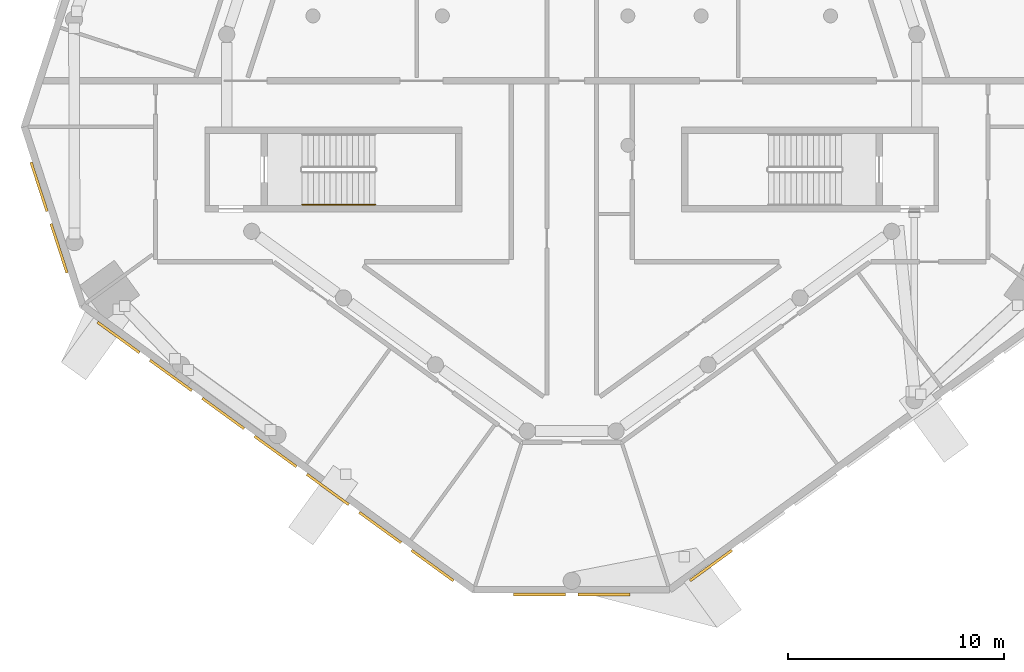
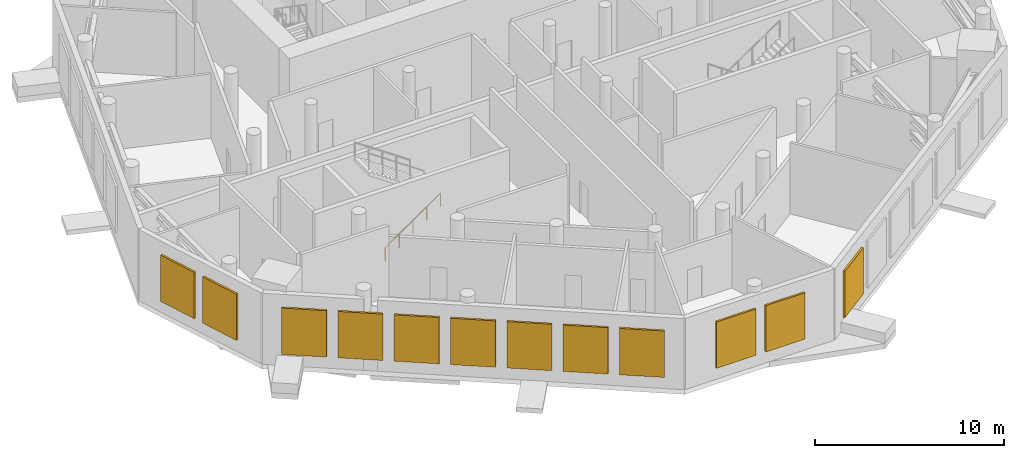
# One storey, part 11 of 15: 12 shading devices, 1 railing.
"""IFC4 building model written with IfcOpenShell, lengths in metres."""

from ifc_helpers import new_model, si_unit, direction, frame, origin, origin_2d, place, context, subcontext, project, spatial, rectangle, circle, extrude, material, type_object, element, save


model = new_model("IFC4")

# Units and contexts
model_context = context("Model", 3, precision=1e-05, world=origin(), true_north=direction((0.0, 1.0)))
body_context = subcontext(model_context, "Body", "Model", "MODEL_VIEW")
ifc_project = project(units=[si_unit("LENGTHUNIT", "METRE"), si_unit("AREAUNIT", "SQUARE_METRE"), si_unit("VOLUMEUNIT", "CUBIC_METRE"), si_unit("PLANEANGLEUNIT", "RADIAN"), si_unit("MASSUNIT", "GRAM", prefix="KILO")], contexts=[model_context])

# Site, building, storey
site_placement = place(None, origin())
site = spatial("IfcSite", under=ifc_project, at=site_placement, CompositionType="ELEMENT")
building_placement = place(site_placement, origin())
building = spatial("IfcBuilding", under=site, at=building_placement, Name="White Candle Pilgrim Tower", CompositionType="ELEMENT")
storey_placement = place(building_placement, frame((0.0, 0.0, 137.60009765625)))
storey = spatial("IfcBuildingStorey", under=building, at=storey_placement, Name="L31", CompositionType="ELEMENT", Elevation=137.60009765625)

# Shading devices
ifc_material_1 = material(Name="Aluminium", Category="aluminium")
shading_device_type = type_object("IfcShadingDeviceType", Name="Plant louvre LV1 2400x3000 aluminium framed", PredefinedType="USERDEFINED", material=ifc_material_1)
for number, where, z_axis, x_axis, name in (
    (1, (45.298095703125, 59.072265625, 0.7998046875), (0.0, 0.0, 1.0), (0.309016955118, -0.95105652905, 0.0), "Plant louvre L31 W chamfer 1"),
    (2, (46.22509765625, 56.21923828125, 0.7998046875), (0.0, 0.0, 1.0), (0.309016955118, -0.95105652905, 0.0), "Plant louvre L31 W chamfer 2"),
    (3, (48.9794921875, 52.091796875, 0.7998046875), (0.0, 0.0, 1.0), (0.809017003362, -0.587785239923, 0.0), "Plant louvre L31 SW 1"),
    (4, (51.406494140625, 50.32861328125, 0.7998046875), (0.0, 0.0, 1.0), (0.809017003362, -0.587785239923, 0.0), "Plant louvre L31 SW 2"),
    (5, (53.833740234375, 48.565185546875, 0.7998046875), (0.0, 0.0, 1.0), (0.809017003362, -0.587785239923, 0.0), "Plant louvre L31 SW 3"),
    (6, (56.2607421875, 46.8017578125, 0.7998046875), (0.0, 0.0, 1.0), (0.809017003362, -0.587785239923, 0.0), "Plant louvre L31 SW 4"),
    (7, (58.687744140625, 45.038330078125, 0.7998046875), (0.0, 0.0, 1.0), (0.809017003362, -0.587785239923, 0.0), "Plant louvre L31 SW 5"),
    (8, (61.11474609375, 43.275146484375, 0.7998046875), (0.0, 0.0, 1.0), (0.809017003362, -0.587785239923, 0.0), "Plant louvre L31 SW 6"),
    (9, (63.541748046875, 41.51171875, 0.7998046875), (0.0, 0.0, 1.0), (0.809017003362, -0.587785239923, 0.0), "Plant louvre L31 SW 7"),
    (10, (68.5, 40.16748046875, 0.7998046875), (0.0, 0.0, 1.0), (1.0, 0.0, 0.0), "Plant louvre L31 S chamfer 1"),
    (11, (71.5, 40.16748046875, 0.7998046875), (0.0, 0.0, 1.0), (1.0, 0.0, 0.0), "Plant louvre L31 S chamfer 2"),
    (12, (76.458251953125, 41.51171875, 0.7998046875), (0.0, 0.0, 1.0), (0.809017003362, 0.587785239923, 0.0), "Plant louvre L31 SE 1"),
):
    element("IfcShadingDevice", number, at=place(storey_placement, frame(where, z_axis=z_axis, x_axis=x_axis)), inside=storey, type_object=shading_device_type, Name=name, ObjectType="LOUVRE", PredefinedType="USERDEFINED", context=body_context, shape_type="SweptSolid", body=[
        extrude(rectangle(XDim=2.39990234375, YDim=0.1201171875, at=origin_2d()), origin(), (0.0, 0.0, 1.0), 3.0),
    ])

# Railing
ifc_material_2 = material(Name="Stainless steel", Category="steel")
railing_type = type_object("IfcRailingType", Name="Stair handrail stainless steel", PredefinedType="HANDRAIL", material=ifc_material_2)
railing_placement = place(storey_placement, frame((57.5, 58.25, 0.178466796875)))
element("IfcRailing", 13, at=railing_placement, inside=storey, type_object=railing_type, Name="L31 ST5 stair handrail 1", PredefinedType="HANDRAIL", context=body_context, shape_type="SweptSolid", body=[
    extrude(circle(Radius=0.02392578125, at=origin_2d()), frame((0.0, 0.0, 0.8759765625), z_axis=(0.824285065979, 0.0, 0.566174999451), x_axis=(0.0, 1.0, 0.0)), (0.0, 0.0, 1.0), 4.100341796875),
    extrude(circle(Radius=0.02099609375, at=origin_2d()), origin(), (0.0, 0.0, 1.0), 0.851806640625),
    extrude(circle(Radius=0.02099609375, at=origin_2d()), frame((0.844970703125, 0.0, 0.580322265625)), (0.0, 0.0, 1.0), 0.851806640625),
    extrude(circle(Radius=0.02099609375, at=origin_2d()), frame((1.68994140625, 0.0, 1.16064453125)), (0.0, 0.0, 1.0), 0.851806640625),
    extrude(circle(Radius=0.02099609375, at=origin_2d()), frame((2.534912109375, 0.0, 1.7412109375)), (0.0, 0.0, 1.0), 0.851806640625),
    extrude(circle(Radius=0.02099609375, at=origin_2d()), frame((3.3798828125, 0.0, 2.321533203125)), (0.0, 0.0, 1.0), 0.851806640625),
])

save(model, "model.ifc")
